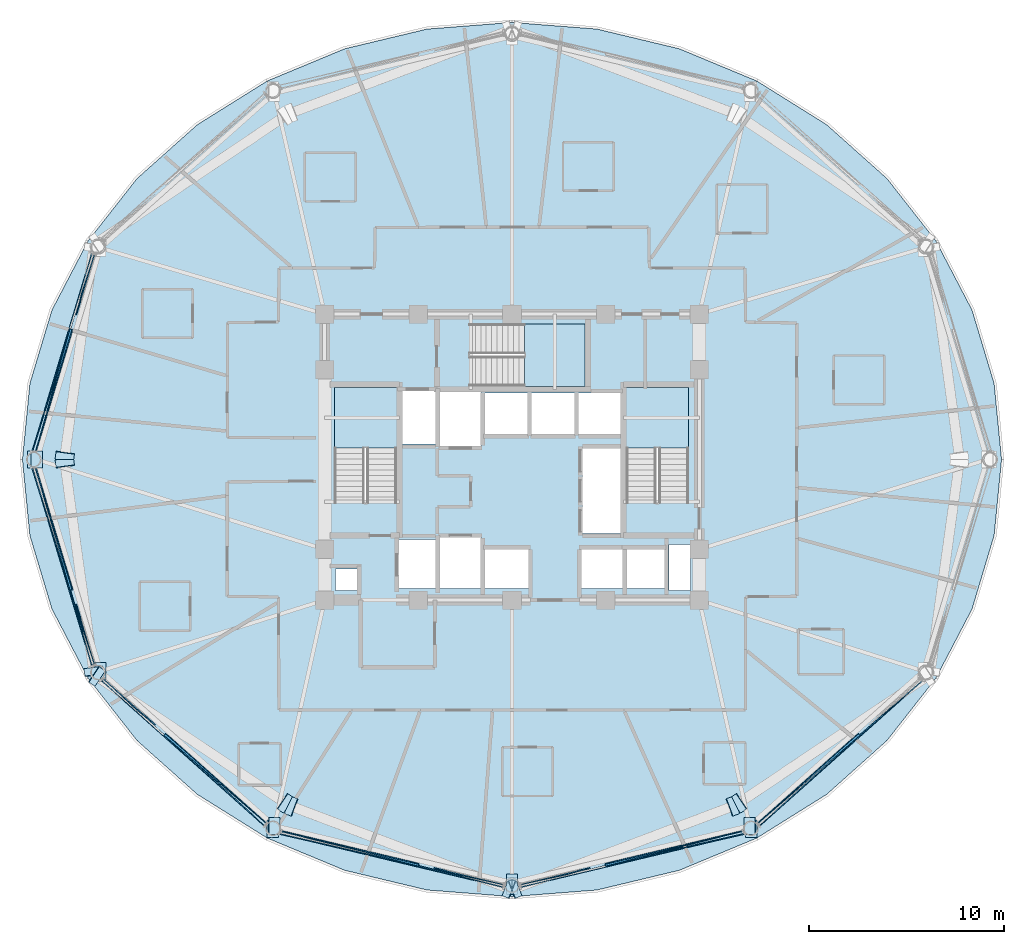
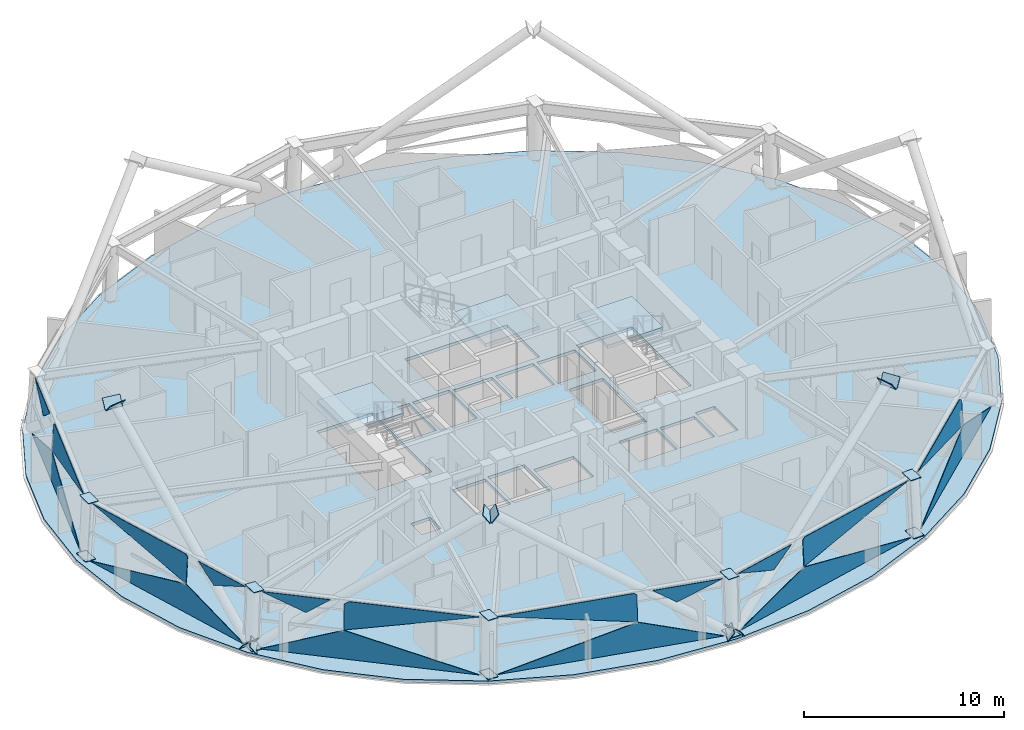
# One storey, part 5 of 13: 37 plates, 4 slabs, 9 elements without a shape of their own.
"""IFC4 building model written with IfcOpenShell, lengths in metres."""

from ifc_helpers import new_model, si_unit, direction, frame, origin, place, context, subcontext, project, spatial, polyline, outline, extrude, material, layer, layer_set, type_object, element, aggregate, save


model = new_model("IFC4")

# Units and contexts
model_context = context("Model", 3, precision=1e-05, world=origin(), true_north=direction((0.0, 1.0)))
body_context = subcontext(model_context, "Body", "Model", "MODEL_VIEW")
ifc_project = project(units=[si_unit("LENGTHUNIT", "METRE"), si_unit("AREAUNIT", "SQUARE_METRE"), si_unit("VOLUMEUNIT", "CUBIC_METRE"), si_unit("PLANEANGLEUNIT", "RADIAN"), si_unit("MASSUNIT", "GRAM", prefix="KILO")], contexts=[model_context])

# Site, building, storey
site_placement = place(None, origin())
site = spatial("IfcSite", under=ifc_project, at=site_placement, CompositionType="ELEMENT")
building_placement = place(site_placement, origin())
building = spatial("IfcBuilding", under=site, at=building_placement, Name="Vantalir Tower", CompositionType="ELEMENT")
storey_placement = place(building_placement, frame((0.0, 0.0, 172.199951171875)))
storey = spatial("IfcBuildingStorey", under=building, at=storey_placement, Name="L43", CompositionType="ELEMENT", Elevation=172.199951171875)

# Curtain wall, plates
ifc_material_1 = material(Name="Champagne-silver PVDF aluminium and double-silver Low-E glass", Category="aluminium")
ifc_layer_1 = layer(ifc_material_1, 0.199951171875)
ifc_layer_set_1 = layer_set([ifc_layer_1], Name="Champagne-silver PVDF aluminium and double-silver Low-E glass")
curtain_wall_type = type_object("IfcCurtainWallType", Name="CW-DIAMOND-Z2", PredefinedType="USERDEFINED", material=ifc_layer_set_1)
curtain_wall_1_placement = place(storey_placement, origin())
curtain_wall_1 = element("IfcCurtainWall", 1, at=curtain_wall_1_placement, inside=storey, type_object=curtain_wall_type, Name="L43 Quilted Pyramid-Diamond Curtain Wall S06", ObjectType="UNITISED CURTAIN WALL", PredefinedType="USERDEFINED")
ifc_material_2 = material(Name="Double-silver Low-E laminated glass IGU", Category="glass")
ifc_layer_2 = layer(ifc_material_2, 0.028076171875)
ifc_layer_set_2 = layer_set([ifc_layer_2], Name="Double-silver Low-E laminated glass IGU")
plate_type_1 = type_object("IfcPlateType", Name="CWP-IGU-28", PredefinedType="CURTAIN_PANEL", material=ifc_layer_set_2)
plate_1_placement = place(storey_placement, frame((9.9560546875, 35.583251953125, 0.046875), z_axis=(-0.956955096844, 0.287718746603, 0.038142698863), x_axis=(-0.287929113413, -0.957651724333, -2.3039859e-05)))
plate_1 = element("IfcPlate", 2, at=plate_1_placement, type_object=plate_type_1, Name="CW-L43-S06 Pyramid Diamond Facet 1L", PredefinedType="CURTAIN_PANEL", context=body_context, shape_type="SweptSolid", body=[
    extrude(outline(polyline([(0.0, 0.0), (10.596446307439443, -3.198396408832238e-18), (4.032006463522464, 1.6924866249864097), (0.0, 0.0)])), origin(), (0.0, 0.0, -1.0), 0.028076171875),
])
plate_2_placement = place(storey_placement, frame((8.926513671875, 31.541015625, 3.453369140625), z_axis=(-0.955555812848, 0.287301329497, 0.066113800383), x_axis=(-0.28792892292, -0.957651781153, 3.7419372e-05)))
plate_2 = element("IfcPlate", 3, at=plate_2_placement, type_object=plate_type_1, Name="CW-L43-S06 Pyramid Diamond Facet 2U", PredefinedType="CURTAIN_PANEL", context=body_context, shape_type="SweptSolid", body=[
    extrude(outline(polyline([(0.0, 0.0), (6.375228442420221, -2.4936649967166602e-17), (-0.13539118015060558, -1.6951099342302707), (-0.1354656773935436, -0.10961534320665464), (0.0, 0.0)])), origin(), (0.0, 0.0, -1.0), 0.028076171875),
])
plate_3_placement = place(storey_placement, frame((10.08642578125, 35.509521484375, 3.455322265625), z_axis=(-0.955531387519, 0.287358698285, 0.066217414521), x_axis=(-0.287985969373, -0.957634625381, 7.5606713e-05)))
plate_3 = element("IfcPlate", 4, at=plate_3_placement, type_object=plate_type_1, Name="CW-L43-S06 Pyramid Diamond Facet 2U Infill Light", PredefinedType="CURTAIN_PANEL", context=body_context, shape_type="SweptSolid", body=[
    extrude(outline(polyline([(0.0, 0.0), (3.2290866206102673, 1.0679391398982219e-17), (2.119817748701022, -0.8986169178360526), (0.0, 0.0)])), origin(), (0.0, 0.0, -1.0), 0.028076171875),
])
aggregate(curtain_wall_1, [plate_1, plate_2, plate_3])

curtain_wall_2_placement = place(storey_placement, origin())
curtain_wall_2 = element("IfcCurtainWall", 5, at=curtain_wall_2_placement, inside=storey, type_object=curtain_wall_type, Name="L43 Quilted Pyramid-Diamond Curtain Wall S07", ObjectType="UNITISED CURTAIN WALL", PredefinedType="USERDEFINED")
plate_4_placement = place(storey_placement, frame((6.905029296875, 24.564453125, 0.046630859375), z_axis=(-0.956955096844, -0.287718746603, 0.038142698863), x_axis=(0.287929113413, -0.957651724333, 2.3039859e-05)))
plate_4 = element("IfcPlate", 6, at=plate_4_placement, type_object=plate_type_1, Name="CW-L43-S07 Pyramid Diamond Facet 1L", PredefinedType="CURTAIN_PANEL", context=body_context, shape_type="SweptSolid", body=[
    extrude(outline(polyline([(0.0, 0.0), (10.596446307439443, 3.198396408832238e-18), (6.56443984391698, 1.6924866249864094), (0.0, 0.0)])), origin(), (0.0, 0.0, -1.0), 0.028076171875),
])
plate_5_placement = place(storey_placement, frame((7.0908203125, 24.564208984375, 3.45361328125), z_axis=(-0.955555812848, -0.287301329497, 0.066113800383), x_axis=(0.28792892292, -0.957651781153, -3.7419372e-05)))
plate_5 = element("IfcPlate", 7, at=plate_5_placement, type_object=plate_type_1, Name="CW-L43-S07 Pyramid Diamond Facet 2U", PredefinedType="CURTAIN_PANEL", context=body_context, shape_type="SweptSolid", body=[
    extrude(outline(polyline([(0.0, 0.0), (6.375228442420221, 2.4936649967166602e-17), (6.510694119813763, -0.10961534320665463), (6.510619622570826, -1.6951099342302705), (0.0, 0.0)])), origin(), (0.0, 0.0, -1.0), 0.028076171875),
])
plate_6_placement = place(storey_placement, frame((9.156494140625, 17.582763671875, 3.45556640625), z_axis=(-0.955531387519, -0.287358698285, 0.066217414521), x_axis=(0.287985969373, -0.957634625381, -7.5606713e-05)))
plate_6 = element("IfcPlate", 8, at=plate_6_placement, type_object=plate_type_1, Name="CW-L43-S07 Pyramid Diamond Facet 2U Infill Light", PredefinedType="CURTAIN_PANEL", context=body_context, shape_type="SweptSolid", body=[
    extrude(outline(polyline([(0.0, 0.0), (3.2290866206102673, -1.0679391398982219e-17), (1.1092688719092458, -0.8986169178360527), (0.0, 0.0)])), origin(), (0.0, 0.0, -1.0), 0.028076171875),
])
aggregate(curtain_wall_2, [plate_4, plate_5, plate_6])

curtain_wall_3_placement = place(storey_placement, origin())
curtain_wall_3 = element("IfcCurtainWall", 9, at=curtain_wall_3_placement, inside=storey, type_object=curtain_wall_type, Name="L43 Quilted Pyramid-Diamond Curtain Wall S08", ObjectType="UNITISED CURTAIN WALL", PredefinedType="USERDEFINED")
plate_7_placement = place(storey_placement, frame((10.4267578125, 13.678466796875, 0.046630859375), z_axis=(-0.66494584616, -0.746044335432, 0.035565028402), x_axis=(0.746516092776, -0.665367359247, -2.1773205e-05)))
plate_7 = element("IfcPlate", 10, at=plate_7_placement, type_object=plate_type_1, Name="CW-L43-S08 Pyramid Diamond Facet 1L", PredefinedType="CURTAIN_PANEL", context=body_context, shape_type="SweptSolid", body=[
    extrude(outline(polyline([(0.0, 0.0), (11.212893532701283, 7.05544563744942e-17), (4.277620445849617, 1.692814463456665), (0.0, 0.0)])), origin(), (0.0, 0.0, -1.0), 0.028076171875),
])
plate_8_placement = place(storey_placement, frame((13.91845703125, 10.792236328125, 3.45361328125), z_axis=(-0.664052763051, -0.745004480518, 0.063263353477), x_axis=(0.746499829424, -0.665385605998, 2.62485e-07)))
plate_8 = element("IfcPlate", 11, at=plate_8_placement, type_object=plate_type_1, Name="CW-L43-S08 Pyramid Diamond Facet 2U", PredefinedType="CURTAIN_PANEL", context=body_context, shape_type="SweptSolid", body=[
    extrude(outline(polyline([(0.0, 0.0), (6.660290172437227, -5.551115123125783e-17), (-0.24911205735779632, -1.695290356590544), (-0.24916113519481653, -0.18689600127601272), (0.0, 0.0)])), origin(), (0.0, 0.0, -1.0), 0.028076171875),
])
plate_9_placement = place(storey_placement, frame((10.566162109375, 13.7373046875, 3.455322265625), z_axis=(-0.664034774765, -0.745030019215, 0.0631513133), x_axis=(0.746523024276, -0.665359579023, 6.9489251e-05)))
plate_9 = element("IfcPlate", 12, at=plate_9_placement, type_object=plate_type_1, Name="CW-L43-S08 Pyramid Diamond Facet 2U Infill Light", PredefinedType="CURTAIN_PANEL", context=body_context, shape_type="SweptSolid", body=[
    extrude(outline(polyline([(0.0, 0.0), (3.51335812705742, 1.2902005852577503e-17), (2.2856924784013866, -0.919719235607416), (0.0, 0.0)])), origin(), (0.0, 0.0, -1.0), 0.028076171875),
])
aggregate(curtain_wall_3, [plate_7, plate_8, plate_9])

curtain_wall_4_placement = place(storey_placement, origin())
curtain_wall_4 = element("IfcCurtainWall", 13, at=curtain_wall_4_placement, inside=storey, type_object=curtain_wall_type, Name="L43 Quilted Pyramid-Diamond Curtain Wall S09", ObjectType="UNITISED CURTAIN WALL", PredefinedType="USERDEFINED")
plate_10_placement = place(storey_placement, frame((19.57958984375, 5.809326171875, 0.04638671875), z_axis=(-0.232201655206, -0.972101106324, 0.03319383079), x_axis=(0.972637253993, -0.232329016088, 2.0688247e-05)))
plate_10 = element("IfcPlate", 14, at=plate_10_placement, type_object=plate_type_1, Name="CW-L43-S09 Pyramid Diamond Facet 1L", PredefinedType="CURTAIN_PANEL", context=body_context, shape_type="SweptSolid", body=[
    extrude(outline(polyline([(0.0, 0.0), (11.80093328383699, 8.700722434196173e-18), (7.3095462828480615, 1.692920363148302), (0.0, 0.0)])), origin(), (0.0, 0.0, -1.0), 0.028076171875),
])
plate_11_placement = place(storey_placement, frame((19.67236328125, 5.9521484375, 3.45361328125), z_axis=(-0.231800060172, -0.970837811648, 0.061177410696), x_axis=(0.972659666904, -0.232235166102, -1.816534e-06)))
plate_11 = element("IfcPlate", 15, at=plate_11_placement, type_object=plate_type_1, Name="CW-L43-S09 Pyramid Diamond Facet 2U", PredefinedType="CURTAIN_PANEL", context=body_context, shape_type="SweptSolid", body=[
    extrude(outline(polyline([(0.0, 0.0), (7.095155804582713, 1.3877787807814457e-17), (7.252657789767961, -0.11494822765630917), (7.252699249624582, -1.6950692657960613), (0.0, 0.0)])), origin(), (0.0, 0.0, -1.0), 0.028076171875),
])
plate_12_placement = place(storey_placement, frame((27.50439453125, 4.04931640625, 3.45556640625), z_axis=(-0.231885813253, -0.970809732997, 0.061297894999), x_axis=(0.972637806974, -0.232326692308, -6.6972238e-05)))
plate_12 = element("IfcPlate", 16, at=plate_12_placement, type_object=plate_type_1, Name="CW-L43-S09 Pyramid Diamond Facet 2U Infill Light", PredefinedType="CURTAIN_PANEL", context=body_context, shape_type="SweptSolid", body=[
    extrude(outline(polyline([(0.0, 0.0), (3.645400447577564, -1.463672932855431e-18), (1.248636104586471, -0.9125210312395221), (0.0, 0.0)])), origin(), (0.0, 0.0, -1.0), 0.028076171875),
])
aggregate(curtain_wall_4, [plate_10, plate_11, plate_12])

curtain_wall_5_placement = place(storey_placement, origin())
curtain_wall_5 = element("IfcCurtainWall", 17, at=curtain_wall_5_placement, inside=storey, type_object=curtain_wall_type, Name="L43 Quilted Pyramid-Diamond Curtain Wall S10", ObjectType="UNITISED CURTAIN WALL", PredefinedType="USERDEFINED")
plate_13_placement = place(storey_placement, frame((31.9423828125, 3.067626953125, 0.046630859375), z_axis=(0.232201655206, -0.972101106324, 0.03319383079), x_axis=(0.972637253993, 0.232329016088, -2.0688247e-05)))
plate_13 = element("IfcPlate", 18, at=plate_13_placement, type_object=plate_type_1, Name="CW-L43-S10 Pyramid Diamond Facet 1L", PredefinedType="CURTAIN_PANEL", context=body_context, shape_type="SweptSolid", body=[
    extrude(outline(polyline([(0.0, 0.0), (11.80093328383699, -8.700722434196173e-18), (4.4913870009889285, 1.692920363148302), (0.0, 0.0)])), origin(), (0.0, 0.0, -1.0), 0.028076171875),
])
plate_14_placement = place(storey_placement, frame((36.426513671875, 4.30419921875, 3.45361328125), z_axis=(0.231800060172, -0.970837811648, 0.061177410696), x_axis=(0.972659666904, 0.232235166102, 1.816534e-06)))
plate_14 = element("IfcPlate", 19, at=plate_14_placement, type_object=plate_type_1, Name="CW-L43-S10 Pyramid Diamond Facet 2U", PredefinedType="CURTAIN_PANEL", context=body_context, shape_type="SweptSolid", body=[
    extrude(outline(polyline([(0.0, 0.0), (7.095155804582713, -1.3877787807814457e-17), (-0.15754344504186904, -1.6950692657960613), (-0.15750198518524913, -0.1149482276563092), (0.0, 0.0)])), origin(), (0.0, 0.0, -1.0), 0.028076171875),
])
plate_15_placement = place(storey_placement, frame((31.949951171875, 3.202392578125, 3.455322265625), z_axis=(0.231885813253, -0.970809732997, 0.061297894999), x_axis=(0.972637806974, 0.232326692308, 6.6972238e-05)))
plate_15 = element("IfcPlate", 20, at=plate_15_placement, type_object=plate_type_1, Name="CW-L43-S10 Pyramid Diamond Facet 2U Infill Light", PredefinedType="CURTAIN_PANEL", context=body_context, shape_type="SweptSolid", body=[
    extrude(outline(polyline([(0.0, 0.0), (3.645400447577564, 1.463672932855431e-18), (2.3967643429910925, -0.912521031239522), (0.0, 0.0)])), origin(), (0.0, 0.0, -1.0), 0.028076171875),
])
aggregate(curtain_wall_5, [plate_13, plate_14, plate_15])

curtain_wall_6_placement = place(storey_placement, origin())
curtain_wall_6 = element("IfcCurtainWall", 21, at=curtain_wall_6_placement, inside=storey, type_object=curtain_wall_type, Name="L43 Quilted Pyramid-Diamond Curtain Wall S11", ObjectType="UNITISED CURTAIN WALL", PredefinedType="USERDEFINED")
plate_16_placement = place(storey_placement, frame((44.20263671875, 6.2177734375, 0.04638671875), z_axis=(0.66494584616, -0.746044335432, 0.035565028402), x_axis=(0.746516092776, 0.665367359247, 2.1773205e-05)))
plate_16 = element("IfcPlate", 22, at=plate_16_placement, type_object=plate_type_1, Name="CW-L43-S11 Pyramid Diamond Facet 1L", PredefinedType="CURTAIN_PANEL", context=body_context, shape_type="SweptSolid", body=[
    extrude(outline(polyline([(0.0, 0.0), (11.212893532701283, -7.05544563744942e-17), (6.935273086851668, 1.692814463456665), (0.0, 0.0)])), origin(), (0.0, 0.0, -1.0), 0.028076171875),
])
plate_17_placement = place(storey_placement, frame((44.109619140625, 6.360595703125, 3.45361328125), z_axis=(0.664052763051, -0.745004480518, 0.063263353477), x_axis=(0.746499829424, 0.665385605998, -2.62485e-07)))
plate_17 = element("IfcPlate", 23, at=plate_17_placement, type_object=plate_type_1, Name="CW-L43-S11 Pyramid Diamond Facet 2U", PredefinedType="CURTAIN_PANEL", context=body_context, shape_type="SweptSolid", body=[
    extrude(outline(polyline([(0.0, 0.0), (6.660290172437227, 5.551115123125783e-17), (6.909451307632044, -0.1868960012760127), (6.909402229795023, -1.695290356590544), (0.0, 0.0)])), origin(), (0.0, 0.0, -1.0), 0.028076171875),
])
aggregate(curtain_wall_6, [plate_16, plate_17])

# Plates
ifc_material_3 = material(Name="Steel S460", Category="steel")
ifc_layer_3 = layer(ifc_material_3, 0.0400390625)
ifc_layer_set_3 = layer_set([ifc_layer_3], Name="Steel S460")
plate_type_2 = type_object("IfcPlateType", Name="PLT-KN-Z1", PredefinedType="USERDEFINED", material=ifc_layer_set_3)
plate_18_placement = place(storey_placement, frame((8.083251953125, 25.0205078125, 8.5302734375), z_axis=(-0.107574545975, -0.776490800491, 0.620878211738), x_axis=(0.990540322613, -0.137221970557, 8.58093e-06)))
element("IfcPlate", 24, at=plate_18_placement, inside=storey, type_object=plate_type_2, Name="Node Cap Plate MEM-DG-L43-R16L End", ObjectType="FLANGE_PLATE", PredefinedType="USERDEFINED", context=body_context, shape_type="SweptSolid", body=[
    extrude(outline(polyline([(0.0, 0.0), (0.9501487978397543, 1.3877787807814457e-17), (0.9500592168599201, 0.6200682066536647), (0.00015225015361626314, 0.6200890053520722), (0.0, 0.0)])), origin(), (0.0, 0.0, -1.0), 0.0400390625),
])
plate_19_placement = place(storey_placement, frame((10.126708984375, 13.3818359375, -0.03466796875), z_axis=(0.668480188016, -0.449552408881, 0.592483645258), x_axis=(0.558077464178, 0.829788853496, -5.0887868e-05)))
element("IfcPlate", 25, at=plate_19_placement, inside=storey, type_object=plate_type_2, Name="Node Cap Plate MEM-DG-L43-R22L Start", ObjectType="FLANGE_PLATE", PredefinedType="USERDEFINED", context=body_context, shape_type="SweptSolid", body=[
    extrude(outline(polyline([(0.0, 0.0), (0.9500811670251212, -5.551115123125783e-17), (0.9500518134120784, 0.62012280433467), (0.00010689576786004398, 0.620002781520229), (0.0, 0.0)])), origin(), (0.0, 0.0, -1.0), 0.0400390625),
])
plate_20_placement = place(storey_placement, frame((19.791748046875, 6.8828125, 8.52880859375), z_axis=(0.668480188016, -0.449552408881, 0.592483645258), x_axis=(0.558015345776, 0.829830628073, 5.0895166e-05)))
element("IfcPlate", 26, at=plate_20_placement, inside=storey, type_object=plate_type_2, Name="Node Cap Plate MEM-DG-L43-R22L End", ObjectType="FLANGE_PLATE", PredefinedType="USERDEFINED", context=body_context, shape_type="SweptSolid", body=[
    extrude(outline(polyline([(0.0, 0.0), (0.9499449252264873, 0.0), (0.9501301565651923, 0.6200027630655183), (4.899712342766172e-05, 0.6201228030937195), (0.0, 0.0)])), origin(), (0.0, 0.0, -1.0), 0.0400390625),
])
plate_21_placement = place(storey_placement, frame((10.506591796875, 14.413818359375, -0.021484375), z_axis=(-0.107686408015, 0.776571112615, 0.620758362473), x_axis=(-0.990529581952, -0.137299462145, -7.0521214e-05)))
element("IfcPlate", 27, at=plate_21_placement, inside=storey, type_object=plate_type_2, Name="Node Cap Plate MEM-DG-L43-R22R Start", ObjectType="FLANGE_PLATE", PredefinedType="USERDEFINED", context=body_context, shape_type="SweptSolid", body=[
    extrude(outline(polyline([(0.0, 0.0), (0.9501487917991496, 0.0), (0.949996553725775, 0.6200889960991516), (5.60700613438288e-05, 0.6199180824907526), (0.0, 0.0)])), origin(), (0.0, 0.0, -1.0), 0.0400390625),
])
plate_22_placement = place(storey_placement, frame((9.0244140625, 25.10986328125, 8.5302734375), z_axis=(-0.107574545975, 0.776490800491, 0.620878211738), x_axis=(-0.990540322613, -0.137221970557, -8.58093e-06)))
element("IfcPlate", 28, at=plate_22_placement, inside=storey, type_object=plate_type_2, Name="Node Cap Plate MEM-DG-L43-R22R End", ObjectType="FLANGE_PLATE", PredefinedType="USERDEFINED", context=body_context, shape_type="SweptSolid", body=[
    extrude(outline(polyline([(0.0, 0.0), (0.9501487978397543, -1.3877787807814457e-17), (0.9499965476861381, 0.6200890053520722), (8.958097983424234e-05, 0.6200682066536647), (0.0, 0.0)])), origin(), (0.0, 0.0, -1.0), 0.0400390625),
])
plate_23_placement = place(storey_placement, frame((32.01025390625, 2.64697265625, -0.03857421875), z_axis=(0.759724482838, 0.286944420795, 0.583508020126), x_axis=(-0.353347566716, 0.935492114682, 2.1515352e-05)))
element("IfcPlate", 29, at=plate_23_placement, inside=storey, type_object=plate_type_2, Name="Node Cap Plate MEM-DG-L43-R28L Start", ObjectType="FLANGE_PLATE", PredefinedType="USERDEFINED", context=body_context, shape_type="SweptSolid", body=[
    extrude(outline(polyline([(0.0, 0.0), (0.9499619633004104, -5.551115123125783e-17), (0.9500893354063336, 0.6198657248836383), (-0.00010101952363794567, 0.6199160660664534), (0.0, 0.0)])), origin(), (0.0, 0.0, -1.0), 0.0400390625),
])
plate_24_placement = place(storey_placement, frame((43.164306640625, 6.860595703125, 8.528564453125), z_axis=(0.759608332451, 0.287004878804, 0.583629489329), x_axis=(-0.35342171075, 0.935464105733, -3.5443611e-05)))
element("IfcPlate", 30, at=plate_24_placement, inside=storey, type_object=plate_type_2, Name="Node Cap Plate MEM-DG-L43-R28L End", ObjectType="FLANGE_PLATE", PredefinedType="USERDEFINED", context=body_context, shape_type="SweptSolid", body=[
    extrude(outline(polyline([(0.0, 0.0), (0.9499619621944103, 0.0), (0.9501756098474444, 0.6199990072915424), (-0.00010102173575563665, 0.6199160643712538), (0.0, 0.0)])), origin(), (0.0, 0.0, -1.0), 0.0400390625),
])
plate_25_placement = place(storey_placement, frame((31.325439453125, 3.53564453125, -0.03857421875), z_axis=(-0.759724482838, 0.286944420795, 0.583508020126), x_axis=(-0.353347566716, -0.935492114682, -2.1515352e-05)))
element("IfcPlate", 31, at=plate_25_placement, inside=storey, type_object=plate_type_2, Name="Node Cap Plate MEM-DG-L43-R28R Start", ObjectType="FLANGE_PLATE", PredefinedType="USERDEFINED", context=body_context, shape_type="SweptSolid", body=[
    extrude(outline(polyline([(0.0, 0.0), (0.9499619633004104, 5.551115123125783e-17), (0.9500629828240483, 0.6199160660664534), (-0.00012737210592316038, 0.6198657248836383), (0.0, 0.0)])), origin(), (0.0, 0.0, -1.0), 0.0400390625),
])
plate_26_placement = place(storey_placement, frame((20.17138671875, 7.749267578125, 8.528564453125), z_axis=(-0.759608332451, 0.287004878804, 0.583629489329), x_axis=(-0.35342171075, -0.935464105733, 3.5443611e-05)))
element("IfcPlate", 32, at=plate_26_placement, inside=storey, type_object=plate_type_2, Name="Node Cap Plate MEM-DG-L43-R28R End", ObjectType="FLANGE_PLATE", PredefinedType="USERDEFINED", context=body_context, shape_type="SweptSolid", body=[
    extrude(outline(polyline([(0.0, 0.0), (0.9499619621944103, 0.0), (0.9500629839301659, 0.6199160643712538), (-0.00021364765303411726, 0.6199990072915426), (0.0, 0.0)])), origin(), (0.0, 0.0, -1.0), 0.0400390625),
])
plate_27_placement = place(storey_placement, frame((42.67822265625, 7.671142578125, 8.52880859375), z_axis=(-0.668480188016, -0.449552408881, 0.592483645258), x_axis=(0.558015345776, -0.829830628073, -5.0895166e-05)))
element("IfcPlate", 33, at=plate_27_placement, inside=storey, type_object=plate_type_2, Name="Node Cap Plate MEM-DG-L43-R34R End", ObjectType="FLANGE_PLATE", PredefinedType="USERDEFINED", context=body_context, shape_type="SweptSolid", body=[
    extrude(outline(polyline([(0.0, 0.0), (0.9499449252264873, 0.0), (0.9498959281030597, 0.6201228030937195), (-0.0001852313387049428, 0.6200027630655183), (0.0, 0.0)])), origin(), (0.0, 0.0, -1.0), 0.0400390625),
])
ifc_layer_4 = layer(ifc_material_3, 0.035888671875)
ifc_layer_set_4 = layer_set([ifc_layer_4], Name="Steel S460")
plate_type_3 = type_object("IfcPlateType", Name="PLT-KN-Z2", PredefinedType="USERDEFINED", material=ifc_layer_set_4)
plate_28_placement = place(storey_placement, frame((6.86181640625, 25.43994140625, 3.54345703125), z_axis=(0.053022653613, 0.0, 0.998593309713), x_axis=(0.0, -1.0, 0.0)))
element("IfcPlate", 34, at=plate_28_placement, inside=storey, type_object=plate_type_3, Name="L43 Ring Column Top Cap RC07", ObjectType="FLANGE_PLATE", PredefinedType="USERDEFINED", context=body_context, shape_type="SweptSolid", body=[
    extrude(outline(polyline([(0.0, 0.0), (0.8798828125, 0.0), (0.8798828125, 0.5801618111094996), (0.0, 0.5801618111094996), (0.0, 0.0)])), origin(), (0.0, 0.0, -1.0), 0.035888671875),
])
plate_29_placement = place(storey_placement, frame((6.67724609375, 25.43994140625, 0.068359375), z_axis=(0.053044944293, 0.0, 0.998592125888), x_axis=(0.0, -1.0, 0.0)))
element("IfcPlate", 35, at=plate_29_placement, inside=storey, type_object=plate_type_3, Name="L43 Ring Column Base Cap RC07", ObjectType="FLANGE_PLATE", PredefinedType="USERDEFINED", context=body_context, shape_type="SweptSolid", body=[
    extrude(outline(polyline([(0.0, 0.0), (0.8798828125, 0.0), (0.8798828125, 0.5799180140592249), (0.0, 0.5799180140592249), (0.0, 0.0)])), origin(), (0.0, 0.0, -1.0), 0.035888671875),
])
plate_30_placement = place(storey_placement, frame((10.12353515625, 14.599853515625, 3.531005859375), z_axis=(0.04611202352, 0.023698310777, 0.998655131341), x_axis=(6.388732e-06, -0.999718564051, 0.02372325128)))
element("IfcPlate", 36, at=plate_30_placement, inside=storey, type_object=plate_type_3, Name="L43 Ring Column Top Cap RC08", ObjectType="FLANGE_PLATE", PredefinedType="USERDEFINED", context=body_context, shape_type="SweptSolid", body=[
    extrude(outline(polyline([(0.0, 0.0), (0.8798834137290054, -1.0842021724855044e-19), (0.8799880235343557, 0.5799569959500969), (9.881799595569851e-05, 0.5799682506369478), (0.0, 0.0)])), origin(), (0.0, 0.0, -1.0), 0.035888671875),
])
plate_31_placement = place(storey_placement, frame((9.963623046875, 14.517333984375, 0.055908203125), z_axis=(0.045877776836, 0.023556788622, 0.998669268228), x_axis=(-1.49935e-07, -0.999721914803, 0.023581625525)))
element("IfcPlate", 37, at=plate_31_placement, inside=storey, type_object=plate_type_3, Name="L43 Ring Column Base Cap RC08", ObjectType="FLANGE_PLATE", PredefinedType="USERDEFINED", context=body_context, shape_type="SweptSolid", body=[
    extrude(outline(polyline([(0.0, 0.0), (0.8798834221692367, 1.0842021724855044e-19), (0.8799880150931211, 0.5802008921542434), (-0.00013947980922171608, 0.5802006279886456), (0.0, 0.0)])), origin(), (0.0, 0.0, -1.0), 0.035888671875),
])
plate_32_placement = place(storey_placement, frame((19.035888671875, 6.6640625, 3.517578125), z_axis=(0.02653781712, 0.041044873782, 0.998804817068), x_axis=(-1.51114e-07, -0.999156709793, 0.041059338473)))
element("IfcPlate", 38, at=plate_32_placement, inside=storey, type_object=plate_type_3, Name="L43 Ring Column Top Cap RC09", ObjectType="FLANGE_PLATE", PredefinedType="USERDEFINED", context=body_context, shape_type="SweptSolid", body=[
    extrude(outline(polyline([(0.0, 0.0), (0.8798926010884206, 2.168404344971009e-19), (0.8799927897871521, 0.5800384010134374), (-0.0001437460448702897, 0.5800381349548074), (0.0, 0.0)])), origin(), (0.0, 0.0, -1.0), 0.035888671875),
])
plate_33_placement = place(storey_placement, frame((18.943603515625, 6.521240234375, 0.04248046875), z_axis=(0.026557672272, 0.041315983789, 0.998793111474), x_axis=(0.0, -0.999145527269, 0.041330561789)))
element("IfcPlate", 39, at=plate_33_placement, inside=storey, type_object=plate_type_3, Name="L43 Ring Column Base Cap RC09", ObjectType="FLANGE_PLATE", PredefinedType="USERDEFINED", context=body_context, shape_type="SweptSolid", body=[
    extrude(outline(polyline([(0.0, 0.0), (0.8801465925123302, 1.0842021724855044e-19), (0.880242688994048, 0.5797943471788356), (9.609648171772522e-05, 0.5797943471788357), (0.0, 0.0)])), origin(), (0.0, 0.0, -1.0), 0.035888671875),
])
plate_34_placement = place(storey_placement, frame((31.2099609375, 3.7587890625, 3.507080078125), z_axis=(0.0, 0.04744650457, 0.998873780417), x_axis=(0.0, -0.998873780417, 0.04744650457)))
element("IfcPlate", 40, at=plate_34_placement, inside=storey, type_object=plate_type_3, Name="L43 Ring Column Top Cap RC10", ObjectType="FLANGE_PLATE", PredefinedType="USERDEFINED", context=body_context, shape_type="SweptSolid", body=[
    extrude(outline(polyline([(0.0, 0.0), (0.8798972074662698, 0.0), (0.8798972074662698, 0.5800781249999999), (0.0, 0.5800781249999999), (0.0, 0.0)])), origin(), (0.0, 0.0, -1.0), 0.035888671875),
])
plate_35_placement = place(storey_placement, frame((31.2099609375, 3.593994140625, 0.0322265625), z_axis=(0.0, 0.047169658796, 0.99888689214), x_axis=(0.0, -0.99888689214, 0.047169658796)))
element("IfcPlate", 41, at=plate_35_placement, inside=storey, type_object=plate_type_3, Name="L43 Ring Column Base Cap RC10", ObjectType="FLANGE_PLATE", PredefinedType="USERDEFINED", context=body_context, shape_type="SweptSolid", body=[
    extrude(outline(polyline([(0.0, 0.0), (0.8798856576414184, 0.0), (0.8798856576414184, 0.580078125), (0.0, 0.580078125), (0.0, 0.0)])), origin(), (0.0, 0.0, -1.0), 0.035888671875),
])
plate_36_placement = place(storey_placement, frame((43.38427734375, 6.66357421875, 3.502197265625), z_axis=(-0.02653781712, 0.041044873782, 0.998804817068), x_axis=(-1.51072e-07, -0.999156710122, 0.041059330457)))
element("IfcPlate", 42, at=plate_36_placement, inside=storey, type_object=plate_type_3, Name="L43 Ring Column Top Cap RC11", ObjectType="FLANGE_PLATE", PredefinedType="USERDEFINED", context=body_context, shape_type="SweptSolid", body=[
    extrude(outline(polyline([(0.0, 0.0), (0.8801365358320626, 2.168404344971009e-19), (0.8800361717921016, 0.5800384009831245), (0.0001435707037211621, 0.5800381349982341), (0.0, 0.0)])), origin(), (0.0, 0.0, -1.0), 0.035888671875),
])
plate_37_placement = place(storey_placement, frame((43.476806640625, 6.5205078125, 0.027099609375), z_axis=(-0.026557672272, 0.041315983789, 0.998793111474), x_axis=(0.0, -0.999145527269, 0.041330561789)))
element("IfcPlate", 43, at=plate_37_placement, inside=storey, type_object=plate_type_3, Name="L43 Ring Column Base Cap RC11", ObjectType="FLANGE_PLATE", PredefinedType="USERDEFINED", context=body_context, shape_type="SweptSolid", body=[
    extrude(outline(polyline([(0.0, 0.0), (0.8801465925123302, -1.0842021724855044e-19), (0.8800504960306125, 0.5797943471788357), (-9.609648171772522e-05, 0.5797943471788357), (0.0, 0.0)])), origin(), (0.0, 0.0, -1.0), 0.035888671875),
])

# Stair, slab
ifc_material_4 = material(Name="Concrete C40/50", Category="concrete")
stair_type = type_object("IfcStairType", Name="STR-CORE-1450", PredefinedType="HALF_TURN_STAIR", material=ifc_material_4)
stair_1_placement = place(storey_placement, origin())
stair_1 = element("IfcStair", 44, at=stair_1_placement, inside=storey, type_object=stair_type, Name="L43 Core Exit Stair 1", PredefinedType="HALF_TURN_STAIR")
ifc_layer_5 = layer(ifc_material_4, 0.199951171875)
ifc_layer_set_5 = layer_set([ifc_layer_5], Name="Concrete C40/50")
slab_type_1 = type_object("IfcSlabType", Name="SL-LAND-200", PredefinedType="LANDING", material=ifc_layer_set_5)
slab_1_placement = place(storey_placement, frame((0.0, 0.0, 1.675048828125)))
slab_1 = element("IfcSlab", 45, at=slab_1_placement, type_object=slab_type_1, Name="ST1 landing 1", PredefinedType="LANDING", context=body_context, shape_type="SweptSolid", body=[
    extrude(outline(polyline([(25.60009765625, 25.590087890625), (25.60009765625, 28.699951171875), (22.39990234375, 28.699951171875), (22.39990234375, 25.590087890625), (25.60009765625, 25.590087890625)])), origin(), (0.0, 0.0, 1.0), 0.199951171875),
])
aggregate(stair_1, [slab_1])

stair_2_placement = place(storey_placement, origin())
stair_2 = element("IfcStair", 46, at=stair_2_placement, inside=storey, type_object=stair_type, Name="L43 Core Exit Stair 2", PredefinedType="HALF_TURN_STAIR")
slab_2_placement = place(storey_placement, frame((0.0, 0.0, 1.675048828125)))
slab_2 = element("IfcSlab", 47, at=slab_2_placement, type_object=slab_type_1, Name="ST2 landing 1", PredefinedType="LANDING", context=body_context, shape_type="SweptSolid", body=[
    extrude(outline(polyline([(40.550048828125, 25.590087890625), (40.550048828125, 28.699951171875), (37.35009765625, 28.699951171875), (37.35009765625, 25.590087890625), (40.550048828125, 25.590087890625)])), origin(), (0.0, 0.0, 1.0), 0.199951171875),
])
aggregate(stair_2, [slab_2])

stair_3_placement = place(storey_placement, origin())
stair_3 = element("IfcStair", 48, at=stair_3_placement, inside=storey, type_object=stair_type, Name="L43 Core Exit Stair 3", PredefinedType="HALF_TURN_STAIR")
slab_3_placement = place(storey_placement, frame((0.0, 0.0, 1.675048828125)))
slab_3 = element("IfcSlab", 49, at=slab_3_placement, type_object=slab_type_1, Name="ST3 landing 1", PredefinedType="LANDING", context=body_context, shape_type="SweptSolid", body=[
    extrude(outline(polyline([(32.139892578125, 28.75), (35.25, 28.75), (35.25, 31.949951171875), (32.139892578125, 31.949951171875), (32.139892578125, 28.75)])), origin(), (0.0, 0.0, 1.0), 0.199951171875),
])
aggregate(stair_3, [slab_3])

# Slab
ifc_layer_6 = layer(ifc_material_4, 0.179931640625)
ifc_layer_set_6 = layer_set([ifc_layer_6], Name="Concrete C40/50")
slab_type_2 = type_object("IfcSlabType", Name="SL-TWR-180", PredefinedType="FLOOR", material=ifc_layer_set_6)
slab_4_placement = place(storey_placement, frame((0.0, 0.0, -0.179931640625)))
element("IfcSlab", 50, at=slab_4_placement, inside=storey, type_object=slab_type_2, Name="L43 Primary Structural Slab", PredefinedType="FLOOR", context=body_context, shape_type="SweptSolid", body=[
    extrude(outline(polyline([(9.77490234375, 13.801025390625), (12.282958984375, 10.60302734375), (15.375, 7.842041015625), (18.95703125, 5.60302734375), (22.919921875, 3.952880859375), (27.14404296875, 2.94189453125), (31.5, 2.60205078125), (35.85595703125, 2.94189453125), (40.080078125, 3.952880859375), (44.04296875, 5.60302734375), (47.625, 7.842041015625), (50.717041015625, 10.60302734375), (53.22509765625, 13.801025390625), (55.072998046875, 17.339111328125), (56.205078125, 21.111083984375), (56.5859375, 25.0), (56.205078125, 28.888916015625), (55.072998046875, 32.660888671875), (53.22509765625, 36.198974609375), (50.717041015625, 39.39697265625), (47.625, 42.157958984375), (44.04296875, 44.39697265625), (40.080078125, 46.047119140625), (35.85595703125, 47.05810546875), (31.5, 47.39794921875), (27.14404296875, 47.05810546875), (22.919921875, 46.047119140625), (18.95703125, 44.39697265625), (15.375, 42.157958984375), (12.282958984375, 39.39697265625), (9.77490234375, 36.198974609375), (7.927001953125, 32.660888671875), (6.794921875, 28.888916015625), (6.4140625, 25.0), (6.794921875, 21.111083984375), (7.927001953125, 17.339111328125), (9.77490234375, 13.801025390625)]), holes=[polyline([(22.39990234375, 22.7900390625), (22.39990234375, 28.699951171875), (25.60009765625, 28.699951171875), (25.60009765625, 22.7900390625), (22.39990234375, 22.7900390625)]), polyline([(37.35009765625, 28.699951171875), (40.550048828125, 28.699951171875), (40.550048828125, 22.7900390625), (37.35009765625, 22.7900390625), (37.35009765625, 28.699951171875)]), polyline([(35.25, 28.75), (29.340087890625, 28.75), (29.340087890625, 31.949951171875), (35.25, 31.949951171875), (35.25, 28.75)]), polyline([(27.60009765625, 18.39990234375), (25.699951171875, 18.39990234375), (25.699951171875, 20.89990234375), (27.60009765625, 20.89990234375), (27.60009765625, 18.39990234375)]), polyline([(25.699951171875, 25.800048828125), (25.699951171875, 28.5), (27.60009765625, 28.5), (27.60009765625, 25.800048828125), (25.699951171875, 25.800048828125)]), polyline([(27.800048828125, 21.0), (29.89990234375, 21.0), (29.89990234375, 18.39990234375), (27.800048828125, 18.39990234375), (27.800048828125, 21.0)]), polyline([(29.89990234375, 28.5), (29.89990234375, 25.699951171875), (27.800048828125, 25.699951171875), (27.800048828125, 28.5), (29.89990234375, 28.5)]), polyline([(32.39990234375, 18.39990234375), (30.10009765625, 18.39990234375), (30.10009765625, 20.39990234375), (32.39990234375, 20.39990234375), (32.39990234375, 18.39990234375)]), polyline([(37.35009765625, 18.39990234375), (37.35009765625, 20.39990234375), (39.35009765625, 20.39990234375), (39.35009765625, 18.39990234375), (37.35009765625, 18.39990234375)]), polyline([(35.0, 20.39990234375), (37.199951171875, 20.39990234375), (37.199951171875, 18.39990234375), (35.0, 18.39990234375), (35.0, 20.39990234375)]), polyline([(32.300048828125, 28.39990234375), (32.300048828125, 26.300048828125), (30.10009765625, 26.300048828125), (30.10009765625, 28.39990234375), (32.300048828125, 28.39990234375)]), polyline([(34.699951171875, 26.300048828125), (32.5, 26.300048828125), (32.5, 28.39990234375), (34.699951171875, 28.39990234375), (34.699951171875, 26.300048828125)]), polyline([(34.89990234375, 26.300048828125), (34.89990234375, 28.39990234375), (37.10009765625, 28.39990234375), (37.10009765625, 26.300048828125), (34.89990234375, 26.300048828125)]), polyline([(35.10009765625, 25.56005859375), (37.06005859375, 25.56005859375), (37.06005859375, 21.199951171875), (35.10009765625, 21.199951171875), (35.10009765625, 25.56005859375)]), polyline([(23.550048828125, 19.39990234375), (23.550048828125, 18.300048828125), (22.449951171875, 18.300048828125), (22.449951171875, 19.39990234375), (23.550048828125, 19.39990234375)]), polyline([(40.64990234375, 18.300048828125), (39.550048828125, 18.300048828125), (39.550048828125, 20.64990234375), (40.64990234375, 20.64990234375), (40.64990234375, 18.300048828125)])]), origin(), (0.0, 0.0, 1.0), 0.179931640625),
])

save(model, "model.ifc")
